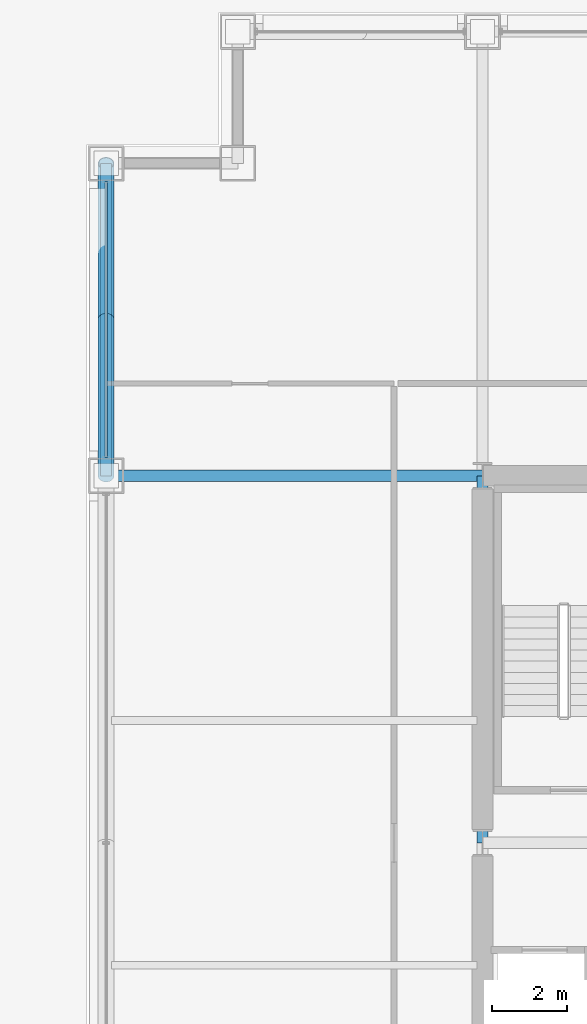
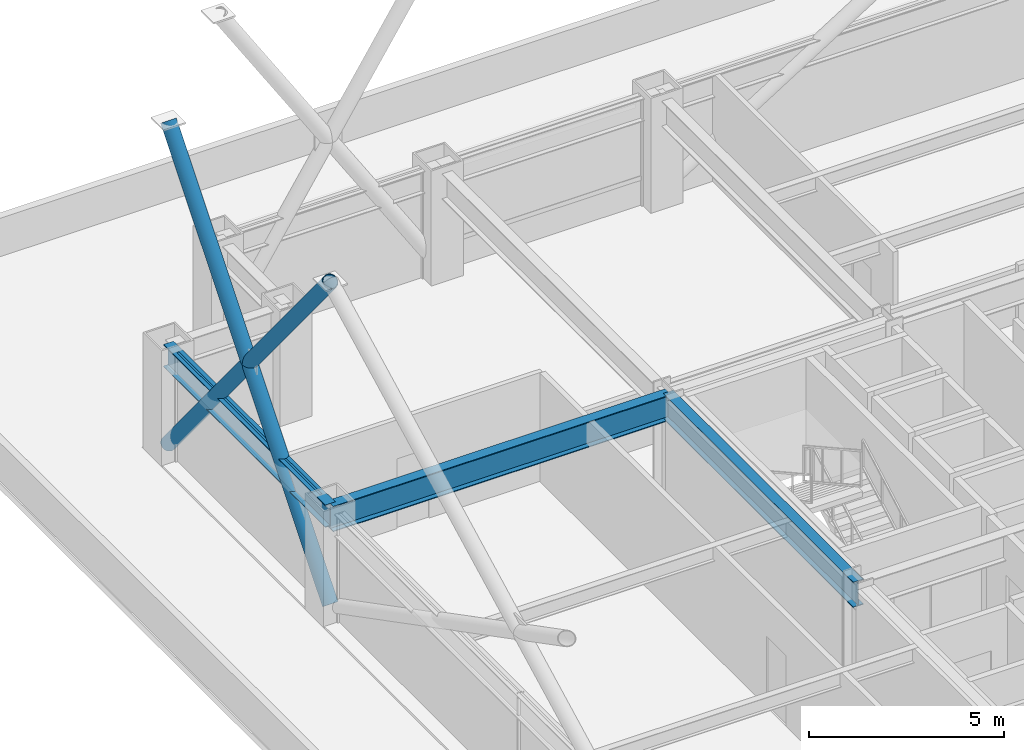
# One storey, part 18 of 33: 4 members, 3 beams, 1 element without a shape of its own.
"""IFC4 building model written with IfcOpenShell, lengths in metres."""

from ifc_helpers import new_model, si_unit, direction, frame, origin, origin_2d, place, context, subcontext, project, spatial, hollow_rectangle, hollow_circle, i_section, extrude, material, layer, layer_set, material_profile, profile_set, type_object, element, aggregate, save


model = new_model("IFC4")

# Units and contexts
model_context = context("Model", 3, precision=1e-05, world=origin(), true_north=direction((0.0, 1.0)))
body_context = subcontext(model_context, "Body", "Model", "MODEL_VIEW")
ifc_project = project(units=[si_unit("LENGTHUNIT", "METRE"), si_unit("AREAUNIT", "SQUARE_METRE"), si_unit("VOLUMEUNIT", "CUBIC_METRE"), si_unit("PLANEANGLEUNIT", "RADIAN"), si_unit("MASSUNIT", "GRAM", prefix="KILO")], contexts=[model_context])

# Site, building, storey
site_placement = place(None, origin())
site = spatial("IfcSite", under=ifc_project, at=site_placement, CompositionType="ELEMENT")
building_placement = place(site_placement, origin())
building = spatial("IfcBuilding", under=site, at=building_placement, Name="Brelmoor Portico Tower", CompositionType="ELEMENT")
storey_placement = place(building_placement, frame((0.0, 0.0, 24.0)))
storey = spatial("IfcBuildingStorey", under=building, at=storey_placement, Name="L05", CompositionType="ELEMENT", Elevation=24.0)

# Beams
ifc_material_1 = material(Name="Steel Q355B", Category="steel")
ifc_material_profile_1 = material_profile(ifc_material_1, i_section(OverallWidth=0.300048828125, OverallDepth=0.800048828125, WebThickness=0.013916015625, FlangeThickness=0.02587890625, at=origin_2d()), Name="HN 800x300x14x26")
ifc_profile_set_1 = profile_set([ifc_material_profile_1], Name="Steel Q355B")
beam_type_1 = type_object("IfcBeamType", Name="BM-PG-800", PredefinedType="BEAM", material=ifc_profile_set_1)
beam_1_placement = place(storey_placement, frame((-14.550048828125, 0.0, 3.0), z_axis=(0.0, 1.0, 0.0), x_axis=(-1.0, 0.0, 0.0)))
element("IfcBeam", 1, at=beam_1_placement, inside=storey, type_object=beam_type_1, Name="L05 Primary Floor Girder PG-05", PredefinedType="BEAM", context=body_context, shape_type="SweptSolid", body=[
    extrude(i_section(OverallWidth=0.300048828125, OverallDepth=0.800048828125, WebThickness=0.013916015625, FlangeThickness=0.02587890625, at=origin_2d()), origin(), (0.0, 0.0, 1.0), 9.75),
])
beam_2_placement = place(storey_placement, frame((-24.550048828125, 9.75, 3.0), z_axis=(1.0, 0.0, 0.0), x_axis=(0.0, 1.0, 0.0)))
element("IfcBeam", 2, at=beam_2_placement, inside=storey, type_object=beam_type_1, Name="L05 Primary Floor Girder PG-27", PredefinedType="BEAM", context=body_context, shape_type="SweptSolid", body=[
    extrude(i_section(OverallWidth=0.300048828125, OverallDepth=0.800048828125, WebThickness=0.013916015625, FlangeThickness=0.02587890625, at=origin_2d()), origin(), (0.0, 0.0, 1.0), 10.0),
])
ifc_material_profile_2 = material_profile(ifc_material_1, i_section(OverallWidth=0.300048828125, OverallDepth=0.699951171875, WebThickness=0.012939453125, FlangeThickness=0.02392578125, at=origin_2d()), Name="HN 700x300x13x24")
ifc_profile_set_2 = profile_set([ifc_material_profile_2], Name="Steel Q355B")
beam_type_2 = type_object("IfcBeamType", Name="BM-SP-700", PredefinedType="SPANDREL", material=ifc_profile_set_2)
beam_3_placement = place(storey_placement, frame((-24.550048828125, 9.75, 3.050048828125), z_axis=(0.0, 1.0, 0.0), x_axis=(-1.0, 0.0, 0.0)))
element("IfcBeam", 3, at=beam_3_placement, inside=storey, type_object=beam_type_2, Name="L05 Perimeter Spandrel Beam SP-17", PredefinedType="SPANDREL", context=body_context, shape_type="SweptSolid", body=[
    extrude(i_section(OverallWidth=0.300048828125, OverallDepth=0.699951171875, WebThickness=0.012939453125, FlangeThickness=0.02392578125, at=origin_2d()), origin(), (0.0, 0.0, 1.0), 8.300048828125),
])

# Members
ifc_material_profile_3 = material_profile(ifc_material_1, hollow_circle(Radius=0.212890625, WallThickness=0.02001953125, at=origin_2d()), Name="CHS 426x20")
ifc_profile_set_3 = profile_set([ifc_material_profile_3], Name="Steel Q355B")
member_type_1 = type_object("IfcMemberType", Name="MB-BELT-DIAG1", PredefinedType="BRACE", material=ifc_profile_set_3)
member_1_placement = place(storey_placement, frame((-24.550048828125, 9.75, 0.25), z_axis=(0.0, 0.634901100083, 0.772593420315), x_axis=(-1.0, 0.0, 0.0)))
element("IfcMember", 4, at=member_1_placement, inside=storey, type_object=member_type_1, Name="L05 Continuous Mega-X Brace 007A", PredefinedType="BRACE", context=body_context, shape_type="SweptSolid", body=[
    extrude(hollow_circle(Radius=0.212890625, WallThickness=0.02001953125, at=origin_2d()), origin(), (0.0, 0.0, 1.0), 13.072998046875),
])
member_2_placement = place(storey_placement, frame((-24.550048828125, 18.050048828125, 0.25), z_axis=(0.0, -0.634912247128, 0.772584259771), x_axis=(1.0, 0.0, 0.0)))
element("IfcMember", 5, at=member_2_placement, inside=storey, type_object=member_type_1, Name="L05 Split Mega-X Brace 007B1", PredefinedType="BRACE", context=body_context, shape_type="SweptSolid", body=[
    extrude(hollow_circle(Radius=0.212890625, WallThickness=0.02001953125, at=origin_2d()), origin(), (0.0, 0.0, 1.0), 6.53662109375),
])
member_3_placement = place(storey_placement, frame((-24.550048828125, 13.89990234375, 5.300048828125), z_axis=(0.0, -0.634889952641, 0.772602580914), x_axis=(1.0, 0.0, 0.0)))
element("IfcMember", 6, at=member_3_placement, inside=storey, type_object=member_type_1, Name="L05 Split Mega-X Brace 007B2", PredefinedType="BRACE", context=body_context, shape_type="SweptSolid", body=[
    extrude(hollow_circle(Radius=0.212890625, WallThickness=0.02001953125, at=origin_2d()), origin(), (0.0, 0.0, 1.0), 6.536376953125),
])

# Curtain wall, member
ifc_material_2 = material(Name="Anodised Aluminium Alloy 6063-T6", Category="aluminium")
ifc_layer = layer(ifc_material_2, 0.179931640625)
ifc_layer_set = layer_set([ifc_layer], Name="Anodised Aluminium Alloy 6063-T6")
curtain_wall_type = type_object("IfcCurtainWallType", Name="CW-TOWER-Z1-XB", PredefinedType="NOTDEFINED", material=ifc_layer_set)
curtain_wall_placement = place(storey_placement, origin())
curtain_wall = element("IfcCurtainWall", 7, at=curtain_wall_placement, inside=storey, type_object=curtain_wall_type, Name="L05 Curtain Wall CW-L05-03-3", PredefinedType="NOTDEFINED")
ifc_material_profile_4 = material_profile(ifc_material_2, hollow_rectangle(XDim=0.06494140625, YDim=0.139892578125, WallThickness=0.00390625, at=origin_2d()), Name="ALU TRANSOM 65x140")
ifc_profile_set_4 = profile_set([ifc_material_profile_4], Name="Anodised Aluminium Alloy 6063-T6")
member_type_2 = type_object("IfcMemberType", Name="MB-CW-TRAN-140", PredefinedType="USERDEFINED", material=ifc_profile_set_4)
member_4_placement = place(storey_placement, frame((-24.550048828125, 10.235107421875, 3.330078125), z_axis=(0.0, 1.0, 0.0), x_axis=(-1.0, 0.0, 0.0)))
member_4 = element("IfcMember", 8, at=member_4_placement, type_object=member_type_2, Name="CW-L05-03-3 Transom 1-00", ObjectType="TRANSOM", PredefinedType="USERDEFINED", context=body_context, shape_type="SweptSolid", body=[
    extrude(hollow_rectangle(XDim=0.06494140625, YDim=0.139892578125, WallThickness=0.00390625, at=origin_2d()), origin(), (0.0, 0.0, 1.0), 7.329833984375),
])
aggregate(curtain_wall, [member_4])

save(model, "model.ifc")
